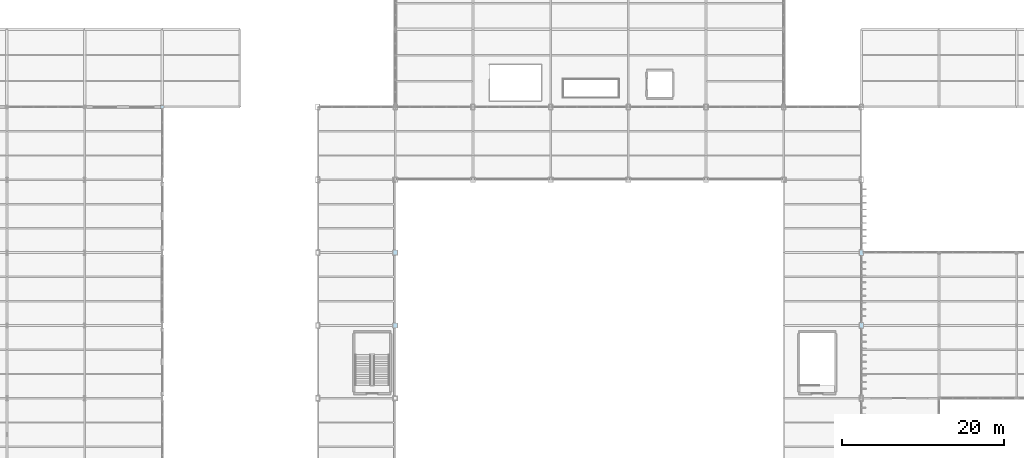
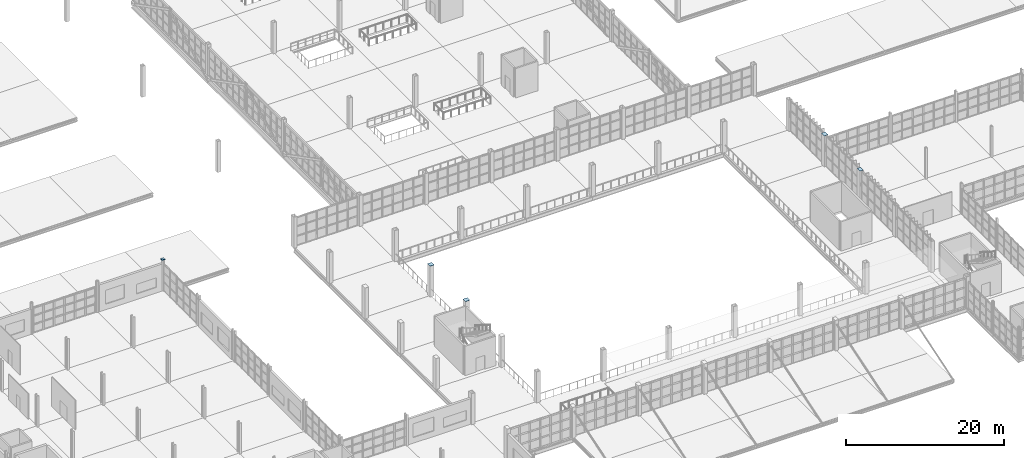
# One storey, part 100 of 120: 5 plates.
"""IFC4 building model written with IfcOpenShell, lengths in metres."""

from ifc_helpers import new_model, si_unit, direction, frame, origin, origin_2d, place, context, subcontext, project, spatial, rectangle, extrude, material, layer, layer_set, type_object, element, save


model = new_model("IFC4")

# Units and contexts
model_context = context("Model", 3, precision=1e-05, world=origin(), true_north=direction((0.0, 1.0)))
body_context = subcontext(model_context, "Body", "Model", "MODEL_VIEW")
ifc_project = project(units=[si_unit("LENGTHUNIT", "METRE"), si_unit("AREAUNIT", "SQUARE_METRE"), si_unit("VOLUMEUNIT", "CUBIC_METRE"), si_unit("PLANEANGLEUNIT", "RADIAN"), si_unit("MASSUNIT", "GRAM", prefix="KILO")], contexts=[model_context])

# Site, building, storey
site_placement = place(None, origin())
site = spatial("IfcSite", under=ifc_project, at=site_placement, CompositionType="ELEMENT")
building_placement = place(site_placement, origin())
building = spatial("IfcBuilding", under=site, at=building_placement, Name="Zarnetskaya Central Station", CompositionType="ELEMENT")
storey_placement = place(building_placement, frame((0.0, 0.0, 5.39990234375)))
storey = spatial("IfcBuildingStorey", under=building, at=storey_placement, Name="L01", CompositionType="ELEMENT", Elevation=5.39990234375)

# Plates
ifc_material = material(Name="Steel S355", Category="steel")
ifc_layer_1 = layer(ifc_material, 0.02392578125, Name="Steel S355", Category="steel")
ifc_layer_set_1 = layer_set([ifc_layer_1], Name="Steel S355")
plate_type_1 = type_object("IfcPlateType", Name="PL-COL-CAP-EXT", PredefinedType="USERDEFINED", material=ifc_layer_set_1)
plate_placement = place(storey_placement, frame((38.39990234375, 67.199951171875, 4.776123046875), z_axis=(0.0, 0.0, 1.0), x_axis=(1.0, 0.0, 0.0)))
element("IfcPlate", 1, at=plate_placement, inside=storey, type_object=plate_type_1, Name="Hollow column sealed end-cap plate 23", ObjectType="END CAP PLATE", PredefinedType="USERDEFINED", context=body_context, shape_type="SweptSolid", body=[
    extrude(rectangle(XDim=0.426513671875, YDim=0.426513671875, at=origin_2d()), origin(), (0.0, 0.0, 1.0), 0.02392578125),
])
for number, where, z_axis, x_axis, name in (
    (2, (124.800048828125, 40.199951171875, 4.776123046875), (0.0, 0.0, 1.0), (1.0, 0.0, 0.0), "Hollow column sealed end-cap plate 111"),
    (3, (124.800048828125, 49.199951171875, 4.776123046875), (0.0, 0.0, 1.0), (1.0, 0.0, 0.0), "Hollow column sealed end-cap plate 112"),
):
    element("IfcPlate", number, at=place(storey_placement, frame(where, z_axis=z_axis, x_axis=x_axis)), inside=storey, type_object=plate_type_1, Name=name, ObjectType="END CAP PLATE", PredefinedType="USERDEFINED", context=body_context, shape_type="SweptSolid", body=[
        extrude(rectangle(XDim=0.52001953125, YDim=0.719970703125, at=origin_2d()), origin(), (0.0, 0.0, 1.0), 0.02392578125),
    ])
ifc_layer_2 = layer(ifc_material, 0.02392578125, Name="Steel S355", Category="steel")
ifc_layer_set_2 = layer_set([ifc_layer_2], Name="Steel S355")
plate_type_2 = type_object("IfcPlateType", Name="PL-COL-CAP-INT", PredefinedType="USERDEFINED", material=ifc_layer_set_2)
for number, where, z_axis, x_axis, name in (
    (4, (67.199951171875, 40.199951171875, 4.776123046875), (0.0, 0.0, 1.0), (1.0, 0.0, 0.0), "Hollow column sealed end-cap plate 51"),
    (5, (67.199951171875, 49.199951171875, 4.776123046875), (0.0, 0.0, 1.0), (1.0, 0.0, 0.0), "Hollow column sealed end-cap plate 52"),
):
    element("IfcPlate", number, at=place(storey_placement, frame(where, z_axis=z_axis, x_axis=x_axis)), inside=storey, type_object=plate_type_2, Name=name, ObjectType="END CAP PLATE", PredefinedType="USERDEFINED", context=body_context, shape_type="SweptSolid", body=[
        extrude(rectangle(XDim=0.6201171875, YDim=0.6201171875, at=origin_2d()), origin(), (0.0, 0.0, 1.0), 0.02392578125),
    ])

save(model, "model.ifc")
